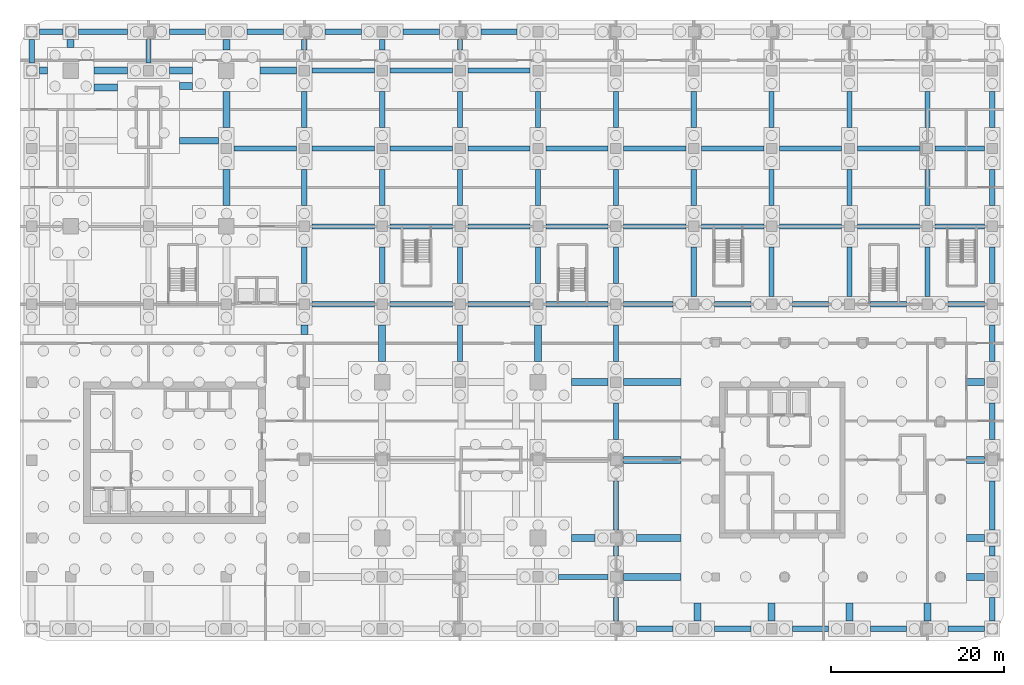
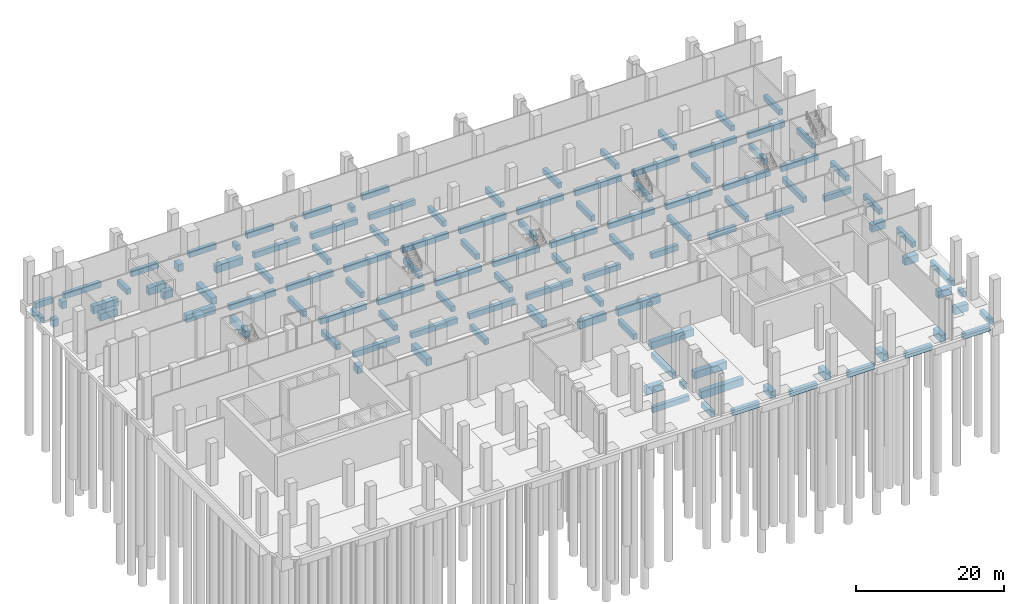
# One storey, part 5 of 23: 118 beams.
"""IFC4 building model written with IfcOpenShell, lengths in metres."""

from ifc_helpers import new_model, si_unit, direction, frame, origin, origin_2d, place, context, subcontext, project, spatial, rectangle, extrude, material, material_profile, profile_set, type_object, element, save


model = new_model("IFC4")

# Units and contexts
model_context = context("Model", 3, precision=1e-05, world=origin(), true_north=direction((0.0, 1.0)))
body_context = subcontext(model_context, "Body", "Model", "MODEL_VIEW")
ifc_project = project(units=[si_unit("LENGTHUNIT", "METRE"), si_unit("AREAUNIT", "SQUARE_METRE"), si_unit("VOLUMEUNIT", "CUBIC_METRE"), si_unit("PLANEANGLEUNIT", "RADIAN"), si_unit("MASSUNIT", "GRAM", prefix="KILO")], contexts=[model_context])

# Site, building, storey
site_placement = place(None, origin())
site = spatial("IfcSite", under=ifc_project, at=site_placement, CompositionType="ELEMENT")
building_placement = place(site_placement, origin())
building = spatial("IfcBuilding", under=site, at=building_placement, Name="Plateau Cross Towers", CompositionType="ELEMENT")
storey_placement = place(building_placement, frame((0.0, 0.0, -7.0)))
storey = spatial("IfcBuildingStorey", under=building, at=storey_placement, Name="B1", CompositionType="ELEMENT", Elevation=-7.0)

# Beams
ifc_material = material(Name="Concrete C40/50", Category="concrete")
ifc_material_profile_1 = material_profile(ifc_material, rectangle(XDim=0.60009765625, YDim=0.89990234375, at=origin_2d()), Name="RC 600x900")
ifc_profile_set_1 = profile_set([ifc_material_profile_1], Name="Concrete C40/50")
beam_type_1 = type_object("IfcBeamType", Name="Ground tie beam RC 600x900", PredefinedType="BEAM", material=ifc_profile_set_1)
for number, where, z_axis, x_axis, name in (
    (1, (65.39990234375, -10.5, -0.949951171875), (1.0, 0.0, 0.0), (0.0, 1.0, 0.0), "GB009@B1"),
    (2, (74.39990234375, -10.5, -0.949951171875), (1.0, 0.0, 0.0), (0.0, 1.0, 0.0), "GB010@B1"),
    (3, (83.39990234375, -10.5, -0.949951171875), (1.0, 0.0, 0.0), (0.0, 1.0, 0.0), "GB011@B1"),
    (4, (92.39990234375, -10.5, -0.949951171875), (1.0, 0.0, 0.0), (0.0, 1.0, 0.0), "GB012@B1"),
    (5, (101.39990234375, -10.5, -0.949951171875), (1.0, 0.0, 0.0), (0.0, 1.0, 0.0), "GB013@B1"),
):
    element("IfcBeam", number, at=place(storey_placement, frame(where, z_axis=z_axis, x_axis=x_axis)), inside=storey, type_object=beam_type_1, Name=name, PredefinedType="BEAM", context=body_context, shape_type="SweptSolid", body=[
        extrude(rectangle(XDim=0.60009765625, YDim=0.89990234375, at=origin_2d()), origin(), (0.0, 0.0, 1.0), 4.2001953125),
    ])
beam_1_placement = place(storey_placement, frame((56.39990234375, -4.5, -0.949951171875), z_axis=(1.0, 0.0, 0.0), x_axis=(0.0, 1.0, 0.0)))
element("IfcBeam", 6, at=beam_1_placement, inside=storey, type_object=beam_type_1, Name="GB017@B1", PredefinedType="BEAM", context=body_context, shape_type="SweptSolid", body=[
    extrude(rectangle(XDim=0.60009765625, YDim=0.89990234375, at=origin_2d()), origin(), (0.0, 0.0, 1.0), 5.7001953125),
])
for number, where, z_axis, x_axis, name in (
    (7, (27.89990234375, 27.0, -0.949951171875), (1.0, 0.0, 0.0), (0.0, 1.0, 0.0), "GB041@B1"),
    (8, (36.89990234375, 27.0, -0.949951171875), (1.0, 0.0, 0.0), (0.0, 1.0, 0.0), "GB042@B1"),
    (9, (45.89990234375, 27.0, -0.949951171875), (1.0, 0.0, 0.0), (0.0, 1.0, 0.0), "GB043@B1"),
    (10, (54.89990234375, 27.0, -0.949951171875), (1.0, 0.0, 0.0), (0.0, 1.0, 0.0), "GB044@B1"),
):
    element("IfcBeam", number, at=place(storey_placement, frame(where, z_axis=z_axis, x_axis=x_axis)), inside=storey, type_object=beam_type_1, Name=name, PredefinedType="BEAM", context=body_context, shape_type="SweptSolid", body=[
        extrude(rectangle(XDim=0.60009765625, YDim=0.89990234375, at=origin_2d()), origin(), (0.0, 0.0, 1.0), 7.2001953125),
    ])
beam_2_placement = place(storey_placement, frame((63.89990234375, 27.0, -0.949951171875), z_axis=(1.0, 0.0, 0.0), x_axis=(0.0, 1.0, 0.0)))
element("IfcBeam", 11, at=beam_2_placement, inside=storey, type_object=beam_type_1, Name="GB045@B1", PredefinedType="BEAM", context=body_context, shape_type="SweptSolid", body=[
    extrude(rectangle(XDim=0.60009765625, YDim=0.89990234375, at=origin_2d()), origin(), (0.0, 0.0, 1.0), 5.7001953125),
])
for number, where, z_axis, x_axis, name in (
    (12, (74.39990234375, 27.0, -0.949951171875), (1.0, 0.0, 0.0), (0.0, 1.0, 0.0), "GB046@B1"),
    (13, (83.39990234375, 27.0, -0.949951171875), (1.0, 0.0, 0.0), (0.0, 1.0, 0.0), "GB047@B1"),
    (14, (92.39990234375, 27.0, -0.949951171875), (1.0, 0.0, 0.0), (0.0, 1.0, 0.0), "GB048@B1"),
    (15, (101.39990234375, 27.0, -0.949951171875), (1.0, 0.0, 0.0), (0.0, 1.0, 0.0), "GB049@B1"),
):
    element("IfcBeam", number, at=place(storey_placement, frame(where, z_axis=z_axis, x_axis=x_axis)), inside=storey, type_object=beam_type_1, Name=name, PredefinedType="BEAM", context=body_context, shape_type="SweptSolid", body=[
        extrude(rectangle(XDim=0.60009765625, YDim=0.89990234375, at=origin_2d()), origin(), (0.0, 0.0, 1.0), 4.2001953125),
    ])
for number, where, z_axis, x_axis, name in (
    (16, (27.89990234375, 36.0, -0.949951171875), (1.0, 0.0, 0.0), (0.0, 1.0, 0.0), "GB054@B1"),
    (17, (36.89990234375, 36.0, -0.949951171875), (1.0, 0.0, 0.0), (0.0, 1.0, 0.0), "GB055@B1"),
    (18, (45.89990234375, 36.0, -0.949951171875), (1.0, 0.0, 0.0), (0.0, 1.0, 0.0), "GB056@B1"),
    (19, (54.89990234375, 36.0, -0.949951171875), (1.0, 0.0, 0.0), (0.0, 1.0, 0.0), "GB057@B1"),
    (20, (63.89990234375, 36.0, -0.949951171875), (1.0, 0.0, 0.0), (0.0, 1.0, 0.0), "GB058@B1"),
    (21, (72.89990234375, 36.0, -0.949951171875), (1.0, 0.0, 0.0), (0.0, 1.0, 0.0), "GB059@B1"),
    (22, (81.89990234375, 36.0, -0.949951171875), (1.0, 0.0, 0.0), (0.0, 1.0, 0.0), "GB060@B1"),
    (23, (90.89990234375, 36.0, -0.949951171875), (1.0, 0.0, 0.0), (0.0, 1.0, 0.0), "GB061@B1"),
):
    element("IfcBeam", number, at=place(storey_placement, frame(where, z_axis=z_axis, x_axis=x_axis)), inside=storey, type_object=beam_type_1, Name=name, PredefinedType="BEAM", context=body_context, shape_type="SweptSolid", body=[
        extrude(rectangle(XDim=0.60009765625, YDim=0.89990234375, at=origin_2d()), origin(), (0.0, 0.0, 1.0), 7.2001953125),
    ])
beam_3_placement = place(storey_placement, frame((99.89990234375, 36.0, -0.949951171875), z_axis=(1.0, 0.0, 0.0), x_axis=(0.0, 1.0, 0.0)))
element("IfcBeam", 24, at=beam_3_placement, inside=storey, type_object=beam_type_1, Name="GB062@B1", PredefinedType="BEAM", context=body_context, shape_type="SweptSolid", body=[
    extrude(rectangle(XDim=0.60009765625, YDim=0.89990234375, at=origin_2d()), origin(), (0.0, 0.0, 1.0), 5.7001953125),
])
for number, where, z_axis, x_axis, name in (
    (25, (18.89990234375, 45.0, -0.949951171875), (1.0, 0.0, 0.0), (0.0, 1.0, 0.0), "GB064@B1"),
    (26, (27.89990234375, 45.0, -0.949951171875), (1.0, 0.0, 0.0), (0.0, 1.0, 0.0), "GB065@B1"),
    (27, (36.89990234375, 45.0, -0.949951171875), (1.0, 0.0, 0.0), (0.0, 1.0, 0.0), "GB066@B1"),
    (28, (45.89990234375, 45.0, -0.949951171875), (1.0, 0.0, 0.0), (0.0, 1.0, 0.0), "GB067@B1"),
    (29, (54.89990234375, 45.0, -0.949951171875), (1.0, 0.0, 0.0), (0.0, 1.0, 0.0), "GB068@B1"),
    (30, (63.89990234375, 45.0, -0.949951171875), (1.0, 0.0, 0.0), (0.0, 1.0, 0.0), "GB069@B1"),
    (31, (72.89990234375, 45.0, -0.949951171875), (1.0, 0.0, 0.0), (0.0, 1.0, 0.0), "GB070@B1"),
    (32, (81.89990234375, 45.0, -0.949951171875), (1.0, 0.0, 0.0), (0.0, 1.0, 0.0), "GB071@B1"),
    (33, (90.89990234375, 45.0, -0.949951171875), (1.0, 0.0, 0.0), (0.0, 1.0, 0.0), "GB072@B1"),
):
    element("IfcBeam", number, at=place(storey_placement, frame(where, z_axis=z_axis, x_axis=x_axis)), inside=storey, type_object=beam_type_1, Name=name, PredefinedType="BEAM", context=body_context, shape_type="SweptSolid", body=[
        extrude(rectangle(XDim=0.60009765625, YDim=0.89990234375, at=origin_2d()), origin(), (0.0, 0.0, 1.0), 7.2001953125),
    ])
beam_4_placement = place(storey_placement, frame((99.89990234375, 45.0, -0.949951171875), z_axis=(1.0, 0.0, 0.0), x_axis=(0.0, 1.0, 0.0)))
element("IfcBeam", 34, at=beam_4_placement, inside=storey, type_object=beam_type_1, Name="GB073@B1", PredefinedType="BEAM", context=body_context, shape_type="SweptSolid", body=[
    extrude(rectangle(XDim=0.60009765625, YDim=0.89990234375, at=origin_2d()), origin(), (0.0, 0.0, 1.0), 5.7001953125),
])
for number, where, z_axis, x_axis, name in (
    (35, (27.89990234375, 54.0, -0.949951171875), (1.0, 0.0, 0.0), (0.0, 1.0, 0.0), "GB082@B1"),
    (36, (36.89990234375, 54.0, -0.949951171875), (1.0, 0.0, 0.0), (0.0, 1.0, 0.0), "GB083@B1"),
    (37, (45.89990234375, 54.0, -0.949951171875), (1.0, 0.0, 0.0), (0.0, 1.0, 0.0), "GB084@B1"),
):
    element("IfcBeam", number, at=place(storey_placement, frame(where, z_axis=z_axis, x_axis=x_axis)), inside=storey, type_object=beam_type_1, Name=name, PredefinedType="BEAM", context=body_context, shape_type="SweptSolid", body=[
        extrude(rectangle(XDim=0.60009765625, YDim=0.89990234375, at=origin_2d()), origin(), (0.0, 0.0, 1.0), 7.2001953125),
    ])
beam_5_placement = place(storey_placement, frame((-3.60009765625, 58.5, -0.949951171875), z_axis=(1.0, 0.0, 0.0), x_axis=(0.0, 1.0, 0.0)))
element("IfcBeam", 38, at=beam_5_placement, inside=storey, type_object=beam_type_1, Name="GB091@B1", PredefinedType="BEAM", context=body_context, shape_type="SweptSolid", body=[
    extrude(rectangle(XDim=0.60009765625, YDim=0.89990234375, at=origin_2d()), origin(), (0.0, 0.0, 1.0), 2.7001953125),
])
beam_6_placement = place(storey_placement, frame((0.89990234375, 58.5, -0.949951171875), z_axis=(1.0, 0.0, 0.0), x_axis=(0.0, 1.0, 0.0)))
element("IfcBeam", 39, at=beam_6_placement, inside=storey, type_object=beam_type_1, Name="GB092@B1", PredefinedType="BEAM", context=body_context, shape_type="SweptSolid", body=[
    extrude(rectangle(XDim=0.60009765625, YDim=0.89990234375, at=origin_2d()), origin(), (0.0, 0.0, 1.0), 5.7001953125),
])
for number, where, z_axis, x_axis, name in (
    (40, (11.39990234375, 58.5, -0.949951171875), (1.0, 0.0, 0.0), (0.0, 1.0, 0.0), "GB093@B1"),
    (41, (20.39990234375, 58.5, -0.949951171875), (1.0, 0.0, 0.0), (0.0, 1.0, 0.0), "GB094@B1"),
    (42, (29.39990234375, 58.5, -0.949951171875), (1.0, 0.0, 0.0), (0.0, 1.0, 0.0), "GB095@B1"),
    (43, (38.39990234375, 58.5, -0.949951171875), (1.0, 0.0, 0.0), (0.0, 1.0, 0.0), "GB096@B1"),
    (44, (47.39990234375, 58.5, -0.949951171875), (1.0, 0.0, 0.0), (0.0, 1.0, 0.0), "GB097@B1"),
):
    element("IfcBeam", number, at=place(storey_placement, frame(where, z_axis=z_axis, x_axis=x_axis)), inside=storey, type_object=beam_type_1, Name=name, PredefinedType="BEAM", context=body_context, shape_type="SweptSolid", body=[
        extrude(rectangle(XDim=0.60009765625, YDim=0.89990234375, at=origin_2d()), origin(), (0.0, 0.0, 1.0), 4.2001953125),
    ])
for number, where, z_axis, x_axis, name in (
    (45, (-4.5, 54.89990234375, -0.949951171875), (0.0, 1.0, 0.0), (-1.0, 0.0, 0.0), "GB109@B1"),
    (46, (9.0, 54.89990234375, -0.949951171875), (0.0, 1.0, 0.0), (-1.0, 0.0, 0.0), "GB120@B1"),
):
    element("IfcBeam", number, at=place(storey_placement, frame(where, z_axis=z_axis, x_axis=x_axis)), inside=storey, type_object=beam_type_1, Name=name, PredefinedType="BEAM", context=body_context, shape_type="SweptSolid", body=[
        extrude(rectangle(XDim=0.60009765625, YDim=0.89990234375, at=origin_2d()), origin(), (0.0, 0.0, 1.0), 2.7001953125),
    ])
for number, where, z_axis, x_axis, name in (
    (47, (27.0, 29.39990234375, -0.949951171875), (0.0, 1.0, 0.0), (-1.0, 0.0, 0.0), "GB129@B1"),
    (48, (27.0, 38.39990234375, -0.949951171875), (0.0, 1.0, 0.0), (-1.0, 0.0, 0.0), "GB130@B1"),
    (49, (27.0, 47.39990234375, -0.949951171875), (0.0, 1.0, 0.0), (-1.0, 0.0, 0.0), "GB131@B1"),
):
    element("IfcBeam", number, at=place(storey_placement, frame(where, z_axis=z_axis, x_axis=x_axis)), inside=storey, type_object=beam_type_1, Name=name, PredefinedType="BEAM", context=body_context, shape_type="SweptSolid", body=[
        extrude(rectangle(XDim=0.60009765625, YDim=0.89990234375, at=origin_2d()), origin(), (0.0, 0.0, 1.0), 4.2001953125),
    ])
beam_7_placement = place(storey_placement, frame((27.0, 56.39990234375, -0.949951171875), z_axis=(0.0, 1.0, 0.0), x_axis=(-1.0, 0.0, 0.0)))
element("IfcBeam", 50, at=beam_7_placement, inside=storey, type_object=beam_type_1, Name="GB132@B1", PredefinedType="BEAM", context=body_context, shape_type="SweptSolid", body=[
    extrude(rectangle(XDim=0.60009765625, YDim=0.89990234375, at=origin_2d()), origin(), (0.0, 0.0, 1.0), 1.2001953125),
])
for number, where, z_axis, x_axis, name in (
    (51, (36.0, 29.39990234375, -0.949951171875), (0.0, 1.0, 0.0), (-1.0, 0.0, 0.0), "GB138@B1"),
    (52, (36.0, 38.39990234375, -0.949951171875), (0.0, 1.0, 0.0), (-1.0, 0.0, 0.0), "GB139@B1"),
    (53, (36.0, 47.39990234375, -0.949951171875), (0.0, 1.0, 0.0), (-1.0, 0.0, 0.0), "GB140@B1"),
):
    element("IfcBeam", number, at=place(storey_placement, frame(where, z_axis=z_axis, x_axis=x_axis)), inside=storey, type_object=beam_type_1, Name=name, PredefinedType="BEAM", context=body_context, shape_type="SweptSolid", body=[
        extrude(rectangle(XDim=0.60009765625, YDim=0.89990234375, at=origin_2d()), origin(), (0.0, 0.0, 1.0), 4.2001953125),
    ])
beam_8_placement = place(storey_placement, frame((36.0, 56.39990234375, -0.949951171875), z_axis=(0.0, 1.0, 0.0), x_axis=(-1.0, 0.0, 0.0)))
element("IfcBeam", 54, at=beam_8_placement, inside=storey, type_object=beam_type_1, Name="GB141@B1", PredefinedType="BEAM", context=body_context, shape_type="SweptSolid", body=[
    extrude(rectangle(XDim=0.60009765625, YDim=0.89990234375, at=origin_2d()), origin(), (0.0, 0.0, 1.0), 1.2001953125),
])
for number, where, z_axis, x_axis, name in (
    (55, (45.0, 20.39990234375, -0.949951171875), (0.0, 1.0, 0.0), (-1.0, 0.0, 0.0), "GB144@B1"),
    (56, (45.0, 29.39990234375, -0.949951171875), (0.0, 1.0, 0.0), (-1.0, 0.0, 0.0), "GB145@B1"),
    (57, (45.0, 38.39990234375, -0.949951171875), (0.0, 1.0, 0.0), (-1.0, 0.0, 0.0), "GB146@B1"),
    (58, (45.0, 47.39990234375, -0.949951171875), (0.0, 1.0, 0.0), (-1.0, 0.0, 0.0), "GB147@B1"),
):
    element("IfcBeam", number, at=place(storey_placement, frame(where, z_axis=z_axis, x_axis=x_axis)), inside=storey, type_object=beam_type_1, Name=name, PredefinedType="BEAM", context=body_context, shape_type="SweptSolid", body=[
        extrude(rectangle(XDim=0.60009765625, YDim=0.89990234375, at=origin_2d()), origin(), (0.0, 0.0, 1.0), 4.2001953125),
    ])
beam_9_placement = place(storey_placement, frame((45.0, 56.39990234375, -0.949951171875), z_axis=(0.0, 1.0, 0.0), x_axis=(-1.0, 0.0, 0.0)))
element("IfcBeam", 59, at=beam_9_placement, inside=storey, type_object=beam_type_1, Name="GB148@B1", PredefinedType="BEAM", context=body_context, shape_type="SweptSolid", body=[
    extrude(rectangle(XDim=0.60009765625, YDim=0.89990234375, at=origin_2d()), origin(), (0.0, 0.0, 1.0), 1.2001953125),
])
for number, where, z_axis, x_axis, name in (
    (60, (54.0, 29.39990234375, -0.949951171875), (0.0, 1.0, 0.0), (-1.0, 0.0, 0.0), "GB158@B1"),
    (61, (54.0, 38.39990234375, -0.949951171875), (0.0, 1.0, 0.0), (-1.0, 0.0, 0.0), "GB159@B1"),
    (62, (54.0, 47.39990234375, -0.949951171875), (0.0, 1.0, 0.0), (-1.0, 0.0, 0.0), "GB160@B1"),
):
    element("IfcBeam", number, at=place(storey_placement, frame(where, z_axis=z_axis, x_axis=x_axis)), inside=storey, type_object=beam_type_1, Name=name, PredefinedType="BEAM", context=body_context, shape_type="SweptSolid", body=[
        extrude(rectangle(XDim=0.60009765625, YDim=0.89990234375, at=origin_2d()), origin(), (0.0, 0.0, 1.0), 4.2001953125),
    ])
beam_10_placement = place(storey_placement, frame((63.0, -9.60009765625, -0.949951171875), z_axis=(0.0, 1.0, 0.0), x_axis=(-1.0, 0.0, 0.0)))
element("IfcBeam", 63, at=beam_10_placement, inside=storey, type_object=beam_type_1, Name="GB162@B1", PredefinedType="BEAM", context=body_context, shape_type="SweptSolid", body=[
    extrude(rectangle(XDim=0.60009765625, YDim=0.89990234375, at=origin_2d()), origin(), (0.0, 0.0, 1.0), 2.7001953125),
])
beam_11_placement = place(storey_placement, frame((63.0, -2.10009765625, -0.949951171875), z_axis=(0.0, 1.0, 0.0), x_axis=(-1.0, 0.0, 0.0)))
element("IfcBeam", 64, at=beam_11_placement, inside=storey, type_object=beam_type_1, Name="GB163@B1", PredefinedType="BEAM", context=body_context, shape_type="SweptSolid", body=[
    extrude(rectangle(XDim=0.60009765625, YDim=0.89990234375, at=origin_2d()), origin(), (0.0, 0.0, 1.0), 1.2001953125),
])
beam_12_placement = place(storey_placement, frame((63.0, 0.89990234375, -0.949951171875), z_axis=(0.0, 1.0, 0.0), x_axis=(-1.0, 0.0, 0.0)))
element("IfcBeam", 65, at=beam_12_placement, inside=storey, type_object=beam_type_1, Name="GB164@B1", PredefinedType="BEAM", context=body_context, shape_type="SweptSolid", body=[
    extrude(rectangle(XDim=0.60009765625, YDim=0.89990234375, at=origin_2d()), origin(), (0.0, 0.0, 1.0), 5.7001953125),
])
for number, where, z_axis, x_axis, name in (
    (66, (63.0, 11.39990234375, -0.949951171875), (0.0, 1.0, 0.0), (-1.0, 0.0, 0.0), "GB165@B1"),
    (67, (63.0, 20.39990234375, -0.949951171875), (0.0, 1.0, 0.0), (-1.0, 0.0, 0.0), "GB166@B1"),
    (68, (63.0, 29.39990234375, -0.949951171875), (0.0, 1.0, 0.0), (-1.0, 0.0, 0.0), "GB167@B1"),
    (69, (63.0, 38.39990234375, -0.949951171875), (0.0, 1.0, 0.0), (-1.0, 0.0, 0.0), "GB168@B1"),
    (70, (63.0, 47.39990234375, -0.949951171875), (0.0, 1.0, 0.0), (-1.0, 0.0, 0.0), "GB169@B1"),
):
    element("IfcBeam", number, at=place(storey_placement, frame(where, z_axis=z_axis, x_axis=x_axis)), inside=storey, type_object=beam_type_1, Name=name, PredefinedType="BEAM", context=body_context, shape_type="SweptSolid", body=[
        extrude(rectangle(XDim=0.60009765625, YDim=0.89990234375, at=origin_2d()), origin(), (0.0, 0.0, 1.0), 4.2001953125),
    ])
beam_13_placement = place(storey_placement, frame((72.0, 27.89990234375, -0.949951171875), z_axis=(0.0, 1.0, 0.0), x_axis=(-1.0, 0.0, 0.0)))
element("IfcBeam", 71, at=beam_13_placement, inside=storey, type_object=beam_type_1, Name="GB171@B1", PredefinedType="BEAM", context=body_context, shape_type="SweptSolid", body=[
    extrude(rectangle(XDim=0.60009765625, YDim=0.89990234375, at=origin_2d()), origin(), (0.0, 0.0, 1.0), 5.7001953125),
])
for number, where, z_axis, x_axis, name in (
    (72, (72.0, 38.39990234375, -0.949951171875), (0.0, 1.0, 0.0), (-1.0, 0.0, 0.0), "GB172@B1"),
    (73, (72.0, 47.39990234375, -0.949951171875), (0.0, 1.0, 0.0), (-1.0, 0.0, 0.0), "GB173@B1"),
):
    element("IfcBeam", number, at=place(storey_placement, frame(where, z_axis=z_axis, x_axis=x_axis)), inside=storey, type_object=beam_type_1, Name=name, PredefinedType="BEAM", context=body_context, shape_type="SweptSolid", body=[
        extrude(rectangle(XDim=0.60009765625, YDim=0.89990234375, at=origin_2d()), origin(), (0.0, 0.0, 1.0), 4.2001953125),
    ])
beam_14_placement = place(storey_placement, frame((81.0, 27.89990234375, -0.949951171875), z_axis=(0.0, 1.0, 0.0), x_axis=(-1.0, 0.0, 0.0)))
element("IfcBeam", 74, at=beam_14_placement, inside=storey, type_object=beam_type_1, Name="GB177@B1", PredefinedType="BEAM", context=body_context, shape_type="SweptSolid", body=[
    extrude(rectangle(XDim=0.60009765625, YDim=0.89990234375, at=origin_2d()), origin(), (0.0, 0.0, 1.0), 5.7001953125),
])
for number, where, z_axis, x_axis, name in (
    (75, (81.0, 38.39990234375, -0.949951171875), (0.0, 1.0, 0.0), (-1.0, 0.0, 0.0), "GB178@B1"),
    (76, (81.0, 47.39990234375, -0.949951171875), (0.0, 1.0, 0.0), (-1.0, 0.0, 0.0), "GB179@B1"),
):
    element("IfcBeam", number, at=place(storey_placement, frame(where, z_axis=z_axis, x_axis=x_axis)), inside=storey, type_object=beam_type_1, Name=name, PredefinedType="BEAM", context=body_context, shape_type="SweptSolid", body=[
        extrude(rectangle(XDim=0.60009765625, YDim=0.89990234375, at=origin_2d()), origin(), (0.0, 0.0, 1.0), 4.2001953125),
    ])
beam_15_placement = place(storey_placement, frame((90.0, 27.89990234375, -0.949951171875), z_axis=(0.0, 1.0, 0.0), x_axis=(-1.0, 0.0, 0.0)))
element("IfcBeam", 77, at=beam_15_placement, inside=storey, type_object=beam_type_1, Name="GB182@B1", PredefinedType="BEAM", context=body_context, shape_type="SweptSolid", body=[
    extrude(rectangle(XDim=0.60009765625, YDim=0.89990234375, at=origin_2d()), origin(), (0.0, 0.0, 1.0), 5.7001953125),
])
for number, where, z_axis, x_axis, name in (
    (78, (90.0, 38.39990234375, -0.949951171875), (0.0, 1.0, 0.0), (-1.0, 0.0, 0.0), "GB183@B1"),
    (79, (90.0, 47.39990234375, -0.949951171875), (0.0, 1.0, 0.0), (-1.0, 0.0, 0.0), "GB184@B1"),
):
    element("IfcBeam", number, at=place(storey_placement, frame(where, z_axis=z_axis, x_axis=x_axis)), inside=storey, type_object=beam_type_1, Name=name, PredefinedType="BEAM", context=body_context, shape_type="SweptSolid", body=[
        extrude(rectangle(XDim=0.60009765625, YDim=0.89990234375, at=origin_2d()), origin(), (0.0, 0.0, 1.0), 4.2001953125),
    ])
beam_16_placement = place(storey_placement, frame((99.0, 27.89990234375, -0.949951171875), z_axis=(0.0, 1.0, 0.0), x_axis=(-1.0, 0.0, 0.0)))
element("IfcBeam", 80, at=beam_16_placement, inside=storey, type_object=beam_type_1, Name="GB187@B1", PredefinedType="BEAM", context=body_context, shape_type="SweptSolid", body=[
    extrude(rectangle(XDim=0.60009765625, YDim=0.89990234375, at=origin_2d()), origin(), (0.0, 0.0, 1.0), 5.7001953125),
])
for number, where, z_axis, x_axis, name in (
    (81, (99.0, 38.39990234375, -0.949951171875), (0.0, 1.0, 0.0), (-1.0, 0.0, 0.0), "GB188@B1"),
    (82, (99.0, 47.39990234375, -0.949951171875), (0.0, 1.0, 0.0), (-1.0, 0.0, 0.0), "GB189@B1"),
):
    element("IfcBeam", number, at=place(storey_placement, frame(where, z_axis=z_axis, x_axis=x_axis)), inside=storey, type_object=beam_type_1, Name=name, PredefinedType="BEAM", context=body_context, shape_type="SweptSolid", body=[
        extrude(rectangle(XDim=0.60009765625, YDim=0.89990234375, at=origin_2d()), origin(), (0.0, 0.0, 1.0), 4.2001953125),
    ])
beam_17_placement = place(storey_placement, frame((106.5, -9.60009765625, -0.949951171875), z_axis=(0.0, 1.0, 0.0), x_axis=(-1.0, 0.0, 0.0)))
element("IfcBeam", 83, at=beam_17_placement, inside=storey, type_object=beam_type_1, Name="GB191@B1", PredefinedType="BEAM", context=body_context, shape_type="SweptSolid", body=[
    extrude(rectangle(XDim=0.60009765625, YDim=0.89990234375, at=origin_2d()), origin(), (0.0, 0.0, 1.0), 2.7001953125),
])
beam_18_placement = place(storey_placement, frame((106.5, -2.10009765625, -0.949951171875), z_axis=(0.0, 1.0, 0.0), x_axis=(-1.0, 0.0, 0.0)))
element("IfcBeam", 84, at=beam_18_placement, inside=storey, type_object=beam_type_1, Name="GB192@B1", PredefinedType="BEAM", context=body_context, shape_type="SweptSolid", body=[
    extrude(rectangle(XDim=0.60009765625, YDim=0.89990234375, at=origin_2d()), origin(), (0.0, 0.0, 1.0), 1.2001953125),
])
beam_19_placement = place(storey_placement, frame((106.5, 0.89990234375, -0.949951171875), z_axis=(0.0, 1.0, 0.0), x_axis=(-1.0, 0.0, 0.0)))
element("IfcBeam", 85, at=beam_19_placement, inside=storey, type_object=beam_type_1, Name="GB193@B1", PredefinedType="BEAM", context=body_context, shape_type="SweptSolid", body=[
    extrude(rectangle(XDim=0.60009765625, YDim=0.89990234375, at=origin_2d()), origin(), (0.0, 0.0, 1.0), 5.7001953125),
])
for number, where, z_axis, x_axis, name in (
    (86, (106.5, 11.39990234375, -0.949951171875), (0.0, 1.0, 0.0), (-1.0, 0.0, 0.0), "GB194@B1"),
    (87, (106.5, 20.39990234375, -0.949951171875), (0.0, 1.0, 0.0), (-1.0, 0.0, 0.0), "GB195@B1"),
    (88, (106.5, 29.39990234375, -0.949951171875), (0.0, 1.0, 0.0), (-1.0, 0.0, 0.0), "GB196@B1"),
    (89, (106.5, 38.39990234375, -0.949951171875), (0.0, 1.0, 0.0), (-1.0, 0.0, 0.0), "GB197@B1"),
    (90, (106.5, 47.39990234375, -0.949951171875), (0.0, 1.0, 0.0), (-1.0, 0.0, 0.0), "GB198@B1"),
):
    element("IfcBeam", number, at=place(storey_placement, frame(where, z_axis=z_axis, x_axis=x_axis)), inside=storey, type_object=beam_type_1, Name=name, PredefinedType="BEAM", context=body_context, shape_type="SweptSolid", body=[
        extrude(rectangle(XDim=0.60009765625, YDim=0.89990234375, at=origin_2d()), origin(), (0.0, 0.0, 1.0), 4.2001953125),
    ])
ifc_material_profile_2 = material_profile(ifc_material, rectangle(XDim=0.800048828125, YDim=1.199951171875, at=origin_2d()), Name="RC 800x1200")
ifc_profile_set_2 = profile_set([ifc_material_profile_2], Name="Concrete C40/50")
beam_type_2 = type_object("IfcBeamType", Name="Ground tie beam RC 800x1200", PredefinedType="BEAM", material=ifc_profile_set_2)
beam_20_placement = place(storey_placement, frame((63.89990234375, -4.5, -1.10009765625), z_axis=(1.0, 0.0, 0.0), x_axis=(0.0, 1.0, 0.0)))
element("IfcBeam", 91, at=beam_20_placement, inside=storey, type_object=beam_type_2, Name="GB018@B1", PredefinedType="BEAM", context=body_context, shape_type="SweptSolid", body=[
    extrude(rectangle(XDim=0.800048828125, YDim=1.199951171875, at=origin_2d()), origin(), (0.0, 0.0, 1.0), 6.60009765625),
])
beam_21_placement = place(storey_placement, frame((103.5, -4.5, -1.10009765625), z_axis=(1.0, 0.0, 0.0), x_axis=(0.0, 1.0, 0.0)))
element("IfcBeam", 92, at=beam_21_placement, inside=storey, type_object=beam_type_2, Name="GB019@B1", PredefinedType="BEAM", context=body_context, shape_type="SweptSolid", body=[
    extrude(rectangle(XDim=0.800048828125, YDim=1.199951171875, at=origin_2d()), origin(), (0.0, 0.0, 1.0), 2.10009765625),
])
beam_22_placement = place(storey_placement, frame((57.89990234375, 0.0, -1.10009765625), z_axis=(1.0, 0.0, 0.0), x_axis=(0.0, 1.0, 0.0)))
element("IfcBeam", 93, at=beam_22_placement, inside=storey, type_object=beam_type_2, Name="GB023@B1", PredefinedType="BEAM", context=body_context, shape_type="SweptSolid", body=[
    extrude(rectangle(XDim=0.800048828125, YDim=1.199951171875, at=origin_2d()), origin(), (0.0, 0.0, 1.0), 2.7001953125),
])
beam_23_placement = place(storey_placement, frame((65.39990234375, 0.0, -1.10009765625), z_axis=(1.0, 0.0, 0.0), x_axis=(0.0, 1.0, 0.0)))
element("IfcBeam", 94, at=beam_23_placement, inside=storey, type_object=beam_type_2, Name="GB024@B1", PredefinedType="BEAM", context=body_context, shape_type="SweptSolid", body=[
    extrude(rectangle(XDim=0.800048828125, YDim=1.199951171875, at=origin_2d()), origin(), (0.0, 0.0, 1.0), 5.10009765625),
])
beam_24_placement = place(storey_placement, frame((103.5, 0.0, -1.10009765625), z_axis=(1.0, 0.0, 0.0), x_axis=(0.0, 1.0, 0.0)))
element("IfcBeam", 95, at=beam_24_placement, inside=storey, type_object=beam_type_2, Name="GB025@B1", PredefinedType="BEAM", context=body_context, shape_type="SweptSolid", body=[
    extrude(rectangle(XDim=0.800048828125, YDim=1.199951171875, at=origin_2d()), origin(), (0.0, 0.0, 1.0), 2.10009765625),
])
beam_25_placement = place(storey_placement, frame((63.89990234375, 9.0, -1.10009765625), z_axis=(1.0, 0.0, 0.0), x_axis=(0.0, 1.0, 0.0)))
element("IfcBeam", 96, at=beam_25_placement, inside=storey, type_object=beam_type_2, Name="GB029@B1", PredefinedType="BEAM", context=body_context, shape_type="SweptSolid", body=[
    extrude(rectangle(XDim=0.800048828125, YDim=1.199951171875, at=origin_2d()), origin(), (0.0, 0.0, 1.0), 6.60009765625),
])
beam_26_placement = place(storey_placement, frame((103.5, 9.0, -1.10009765625), z_axis=(1.0, 0.0, 0.0), x_axis=(0.0, 1.0, 0.0)))
element("IfcBeam", 97, at=beam_26_placement, inside=storey, type_object=beam_type_2, Name="GB030@B1", PredefinedType="BEAM", context=body_context, shape_type="SweptSolid", body=[
    extrude(rectangle(XDim=0.800048828125, YDim=1.199951171875, at=origin_2d()), origin(), (0.0, 0.0, 1.0), 2.10009765625),
])
beam_27_placement = place(storey_placement, frame((57.89990234375, 18.0, -1.10009765625), z_axis=(1.0, 0.0, 0.0), x_axis=(0.0, 1.0, 0.0)))
element("IfcBeam", 98, at=beam_27_placement, inside=storey, type_object=beam_type_2, Name="GB034@B1", PredefinedType="BEAM", context=body_context, shape_type="SweptSolid", body=[
    extrude(rectangle(XDim=0.800048828125, YDim=1.199951171875, at=origin_2d()), origin(), (0.0, 0.0, 1.0), 4.2001953125),
])
beam_28_placement = place(storey_placement, frame((63.89990234375, 18.0, -1.10009765625), z_axis=(1.0, 0.0, 0.0), x_axis=(0.0, 1.0, 0.0)))
element("IfcBeam", 99, at=beam_28_placement, inside=storey, type_object=beam_type_2, Name="GB035@B1", PredefinedType="BEAM", context=body_context, shape_type="SweptSolid", body=[
    extrude(rectangle(XDim=0.800048828125, YDim=1.199951171875, at=origin_2d()), origin(), (0.0, 0.0, 1.0), 6.60009765625),
])
beam_29_placement = place(storey_placement, frame((103.5, 18.0, -1.10009765625), z_axis=(1.0, 0.0, 0.0), x_axis=(0.0, 1.0, 0.0)))
element("IfcBeam", 100, at=beam_29_placement, inside=storey, type_object=beam_type_2, Name="GB036@B1", PredefinedType="BEAM", context=body_context, shape_type="SweptSolid", body=[
    extrude(rectangle(XDim=0.800048828125, YDim=1.199951171875, at=origin_2d()), origin(), (0.0, 0.0, 1.0), 2.10009765625),
])
beam_30_placement = place(storey_placement, frame((12.60009765625, 45.89990234375, -1.10009765625), z_axis=(1.0, 0.0, 0.0), x_axis=(0.0, 1.0, 0.0)))
element("IfcBeam", 101, at=beam_30_placement, inside=storey, type_object=beam_type_2, Name="GB075@B1", PredefinedType="BEAM", context=body_context, shape_type="SweptSolid", body=[
    extrude(rectangle(XDim=0.800048828125, YDim=1.199951171875, at=origin_2d()), origin(), (0.0, 0.0, 1.0), 4.5),
])
beam_31_placement = place(storey_placement, frame((2.699951171875, 52.050048828125, -1.10009765625), z_axis=(1.0, 0.0, 0.0), x_axis=(0.0, 1.0, 0.0)))
element("IfcBeam", 102, at=beam_31_placement, inside=storey, type_object=beam_type_2, Name="GB076@B1", PredefinedType="BEAM", context=body_context, shape_type="SweptSolid", body=[
    extrude(rectangle(XDim=0.800048828125, YDim=1.199951171875, at=origin_2d()), origin(), (0.0, 0.0, 1.0), 2.699951171875),
])
beam_32_placement = place(storey_placement, frame((12.60009765625, 52.199951171875, -1.10009765625), z_axis=(1.0, 0.0, 0.0), x_axis=(0.0, 1.0, 0.0)))
element("IfcBeam", 103, at=beam_32_placement, inside=storey, type_object=beam_type_2, Name="GB077@B1", PredefinedType="BEAM", context=body_context, shape_type="SweptSolid", body=[
    extrude(rectangle(XDim=0.800048828125, YDim=1.199951171875, at=origin_2d()), origin(), (0.0, 0.0, 1.0), 1.5),
])
beam_33_placement = place(storey_placement, frame((-3.60009765625, 54.0, -1.10009765625), z_axis=(1.0, 0.0, 0.0), x_axis=(0.0, 1.0, 0.0)))
element("IfcBeam", 104, at=beam_33_placement, inside=storey, type_object=beam_type_2, Name="GB078@B1", PredefinedType="BEAM", context=body_context, shape_type="SweptSolid", body=[
    extrude(rectangle(XDim=0.800048828125, YDim=1.199951171875, at=origin_2d()), origin(), (0.0, 0.0, 1.0), 0.900146484375),
])
beam_34_placement = place(storey_placement, frame((2.699951171875, 54.0, -1.10009765625), z_axis=(1.0, 0.0, 0.0), x_axis=(0.0, 1.0, 0.0)))
element("IfcBeam", 105, at=beam_34_placement, inside=storey, type_object=beam_type_2, Name="GB079@B1", PredefinedType="BEAM", context=body_context, shape_type="SweptSolid", body=[
    extrude(rectangle(XDim=0.800048828125, YDim=1.199951171875, at=origin_2d()), origin(), (0.0, 0.0, 1.0), 3.900146484375),
])
beam_35_placement = place(storey_placement, frame((11.39990234375, 54.0, -1.10009765625), z_axis=(1.0, 0.0, 0.0), x_axis=(0.0, 1.0, 0.0)))
element("IfcBeam", 106, at=beam_35_placement, inside=storey, type_object=beam_type_2, Name="GB080@B1", PredefinedType="BEAM", context=body_context, shape_type="SweptSolid", body=[
    extrude(rectangle(XDim=0.800048828125, YDim=1.199951171875, at=origin_2d()), origin(), (0.0, 0.0, 1.0), 2.7001953125),
])
beam_36_placement = place(storey_placement, frame((21.89990234375, 54.0, -1.10009765625), z_axis=(1.0, 0.0, 0.0), x_axis=(0.0, 1.0, 0.0)))
element("IfcBeam", 107, at=beam_36_placement, inside=storey, type_object=beam_type_2, Name="GB081@B1", PredefinedType="BEAM", context=body_context, shape_type="SweptSolid", body=[
    extrude(rectangle(XDim=0.800048828125, YDim=1.199951171875, at=origin_2d()), origin(), (0.0, 0.0, 1.0), 4.2001953125),
])
beam_37_placement = place(storey_placement, frame((0.0, 56.699951171875, -1.10009765625), z_axis=(0.0, 1.0, 0.0), x_axis=(-1.0, 0.0, 0.0)))
element("IfcBeam", 108, at=beam_37_placement, inside=storey, type_object=beam_type_2, Name="GB115@B1", PredefinedType="BEAM", context=body_context, shape_type="SweptSolid", body=[
    extrude(rectangle(XDim=0.800048828125, YDim=1.199951171875, at=origin_2d()), origin(), (0.0, 0.0, 1.0), 0.900146484375),
])
for number, where, z_axis, x_axis, name in (
    (109, (18.0, 38.39990234375, -1.10009765625), (0.0, 1.0, 0.0), (-1.0, 0.0, 0.0), "GB124@B1"),
    (110, (18.0, 47.39990234375, -1.10009765625), (0.0, 1.0, 0.0), (-1.0, 0.0, 0.0), "GB125@B1"),
):
    element("IfcBeam", number, at=place(storey_placement, frame(where, z_axis=z_axis, x_axis=x_axis)), inside=storey, type_object=beam_type_2, Name=name, PredefinedType="BEAM", context=body_context, shape_type="SweptSolid", body=[
        extrude(rectangle(XDim=0.800048828125, YDim=1.199951171875, at=origin_2d()), origin(), (0.0, 0.0, 1.0), 4.2001953125),
    ])
beam_38_placement = place(storey_placement, frame((18.0, 56.39990234375, -1.10009765625), z_axis=(0.0, 1.0, 0.0), x_axis=(-1.0, 0.0, 0.0)))
element("IfcBeam", 111, at=beam_38_placement, inside=storey, type_object=beam_type_2, Name="GB126@B1", PredefinedType="BEAM", context=body_context, shape_type="SweptSolid", body=[
    extrude(rectangle(XDim=0.800048828125, YDim=1.199951171875, at=origin_2d()), origin(), (0.0, 0.0, 1.0), 1.2001953125),
])
beam_39_placement = place(storey_placement, frame((27.0, 23.5, -1.10009765625), z_axis=(0.0, 1.0, 0.0), x_axis=(-1.0, 0.0, 0.0)))
element("IfcBeam", 112, at=beam_39_placement, inside=storey, type_object=beam_type_2, Name="GB128@B1", PredefinedType="BEAM", context=body_context, shape_type="SweptSolid", body=[
    extrude(rectangle(XDim=0.800048828125, YDim=1.199951171875, at=origin_2d()), origin(), (0.0, 0.0, 1.0), 1.10009765625),
])
for number, where, z_axis, x_axis, name in (
    (113, (36.0, 20.39990234375, -1.10009765625), (0.0, 1.0, 0.0), (-1.0, 0.0, 0.0), "GB137@B1"),
    (114, (54.0, 20.39990234375, -1.10009765625), (0.0, 1.0, 0.0), (-1.0, 0.0, 0.0), "GB157@B1"),
):
    element("IfcBeam", number, at=place(storey_placement, frame(where, z_axis=z_axis, x_axis=x_axis)), inside=storey, type_object=beam_type_2, Name=name, PredefinedType="BEAM", context=body_context, shape_type="SweptSolid", body=[
        extrude(rectangle(XDim=0.800048828125, YDim=1.199951171875, at=origin_2d()), origin(), (0.0, 0.0, 1.0), 4.2001953125),
    ])
for number, where, z_axis, x_axis, name in (
    (115, (72.449951171875, -9.60009765625, -1.10009765625), (0.0, 1.0, 0.0), (-1.0, 0.0, 0.0), "GB175@B1"),
    (116, (81.0, -9.60009765625, -1.10009765625), (0.0, 1.0, 0.0), (-1.0, 0.0, 0.0), "GB176@B1"),
    (117, (90.0, -9.60009765625, -1.10009765625), (0.0, 1.0, 0.0), (-1.0, 0.0, 0.0), "GB181@B1"),
    (118, (99.0, -9.60009765625, -1.10009765625), (0.0, 1.0, 0.0), (-1.0, 0.0, 0.0), "GB186@B1"),
):
    element("IfcBeam", number, at=place(storey_placement, frame(where, z_axis=z_axis, x_axis=x_axis)), inside=storey, type_object=beam_type_2, Name=name, PredefinedType="BEAM", context=body_context, shape_type="SweptSolid", body=[
        extrude(rectangle(XDim=0.800048828125, YDim=1.199951171875, at=origin_2d()), origin(), (0.0, 0.0, 1.0), 2.10009765625),
    ])

save(model, "model.ifc")
